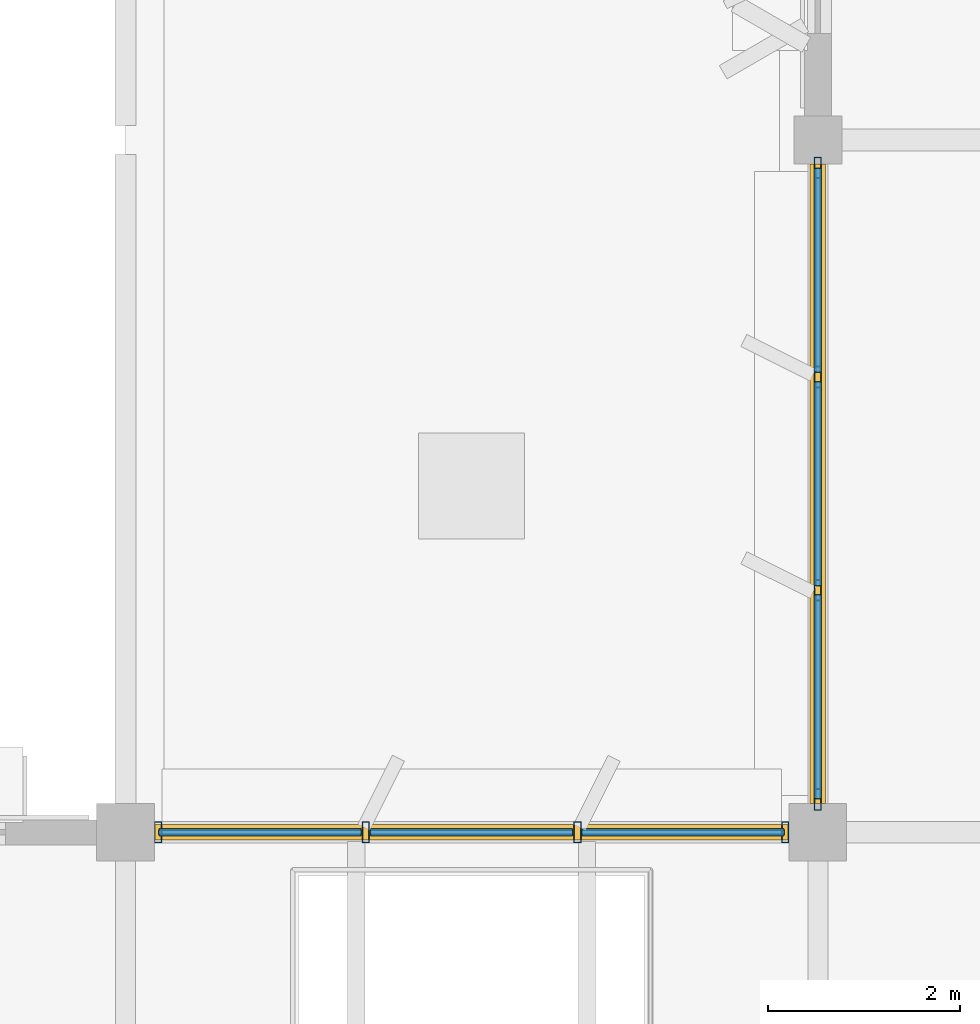
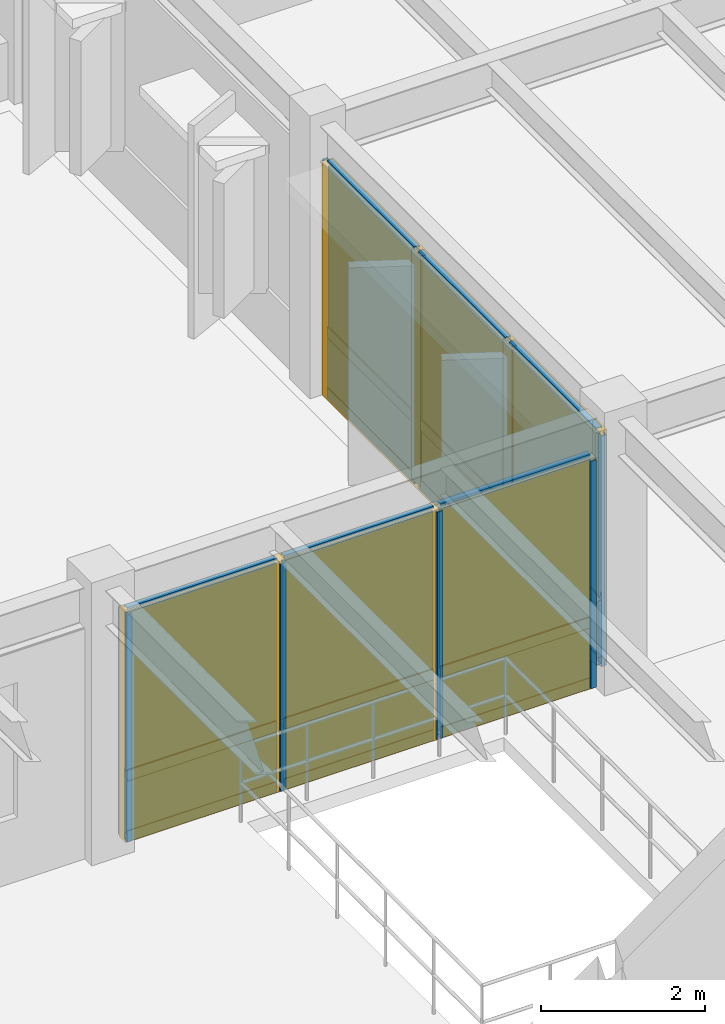
# One storey, part 52 of 85: 26 members, 12 plates, 2 curtain walls.
"""IFC4 building model written with IfcOpenShell, lengths in metres."""

from ifc_helpers import new_model, si_unit, direction, frame, origin, origin_2d, place, context, subcontext, project, spatial, rectangle, hollow_rectangle, extrude, material, layer, layer_set, material_profile, profile_set, type_object, element, aggregate, save


model = new_model("IFC4")

# Units and contexts
model_context = context("Model", 3, precision=1e-05, world=origin(), true_north=direction((0.0, 1.0)))
body_context = subcontext(model_context, "Body", "Model", "MODEL_VIEW")
ifc_project = project(units=[si_unit("LENGTHUNIT", "METRE"), si_unit("AREAUNIT", "SQUARE_METRE"), si_unit("VOLUMEUNIT", "CUBIC_METRE"), si_unit("PLANEANGLEUNIT", "RADIAN"), si_unit("MASSUNIT", "GRAM", prefix="KILO")], contexts=[model_context])

# Member
ifc_material_1 = material(Name="Anodized Aluminium 6063-T6", Category="aluminium")
ifc_material_profile_1 = material_profile(ifc_material_1, hollow_rectangle(XDim=0.074951171875, YDim=0.219970703125, WallThickness=0.0048828125, at=origin_2d()), Name="ALU 75x220x5")
ifc_profile_set_1 = profile_set([ifc_material_profile_1], Name="Anodized Aluminium 6063-T6")
member_type_1 = type_object("IfcMemberType", Name="CWM-75X180", PredefinedType="MULLION", material=ifc_profile_set_1)
site_placement = place(None, origin())
building_placement = place(site_placement, origin())
storey_placement = place(building_placement, frame((0.0, 0.0, 9.89990234375)))
member_1_placement = place(storey_placement, frame((14.739990234375, 79.199951171875, 0.02001953125), z_axis=(0.0, 0.0, 1.0), x_axis=(1.0, 0.0, 0.0)))
member_1 = element("IfcMember", 1, at=member_1_placement, type_object=member_type_1, Name="Curtain wall mullion CW-L03-02-10-N-00", PredefinedType="MULLION", context=body_context, shape_type="SweptSolid", body=[
    extrude(hollow_rectangle(XDim=0.074951171875, YDim=0.219970703125, WallThickness=0.0048828125, at=origin_2d()), origin(), (0.0, 0.0, 1.0), 3.378173828125),
])

member_2_placement = place(storey_placement, frame((16.89990234375, 79.199951171875, 0.02001953125), z_axis=(0.0, 0.0, 1.0), x_axis=(1.0, 0.0, 0.0)))
member_2 = element("IfcMember", 2, at=member_2_placement, type_object=member_type_1, Name="Curtain wall mullion CW-L03-02-10-N-01", PredefinedType="MULLION", context=body_context, shape_type="SweptSolid", body=[
    extrude(hollow_rectangle(XDim=0.074951171875, YDim=0.219970703125, WallThickness=0.0048828125, at=origin_2d()), origin(), (0.0, 0.0, 1.0), 3.378173828125),
])

member_3_placement = place(storey_placement, frame((19.10009765625, 79.199951171875, 0.02001953125), z_axis=(0.0, 0.0, 1.0), x_axis=(1.0, 0.0, 0.0)))
member_3 = element("IfcMember", 3, at=member_3_placement, type_object=member_type_1, Name="Curtain wall mullion CW-L03-02-10-N-02", PredefinedType="MULLION", context=body_context, shape_type="SweptSolid", body=[
    extrude(hollow_rectangle(XDim=0.074951171875, YDim=0.219970703125, WallThickness=0.0048828125, at=origin_2d()), origin(), (0.0, 0.0, 1.0), 3.378173828125),
])

member_4_placement = place(storey_placement, frame((21.260009765625, 79.199951171875, 0.02001953125), z_axis=(0.0, 0.0, 1.0), x_axis=(1.0, 0.0, 0.0)))
member_4 = element("IfcMember", 4, at=member_4_placement, type_object=member_type_1, Name="Curtain wall mullion CW-L03-02-10-N-03", PredefinedType="MULLION", context=body_context, shape_type="SweptSolid", body=[
    extrude(hollow_rectangle(XDim=0.074951171875, YDim=0.219970703125, WallThickness=0.0048828125, at=origin_2d()), origin(), (0.0, 0.0, 1.0), 3.378173828125),
])

member_5_placement = place(storey_placement, frame((21.60009765625, 79.5400390625, 0.02001953125), z_axis=(0.0, 0.0, 1.0), x_axis=(1.0, 0.0, 0.0)))
member_5 = element("IfcMember", 5, at=member_5_placement, type_object=member_type_1, Name="Curtain wall mullion CW-L03-03-11-W-00", PredefinedType="MULLION", context=body_context, shape_type="SweptSolid", body=[
    extrude(hollow_rectangle(XDim=0.074951171875, YDim=0.219970703125, WallThickness=0.0048828125, at=origin_2d()), origin(), (0.0, 0.0, 1.0), 3.427001953125),
])

member_6_placement = place(storey_placement, frame((21.60009765625, 81.716796875, 0.02001953125), z_axis=(0.0, 0.0, 1.0), x_axis=(1.0, 0.0, 0.0)))
member_6 = element("IfcMember", 6, at=member_6_placement, type_object=member_type_1, Name="Curtain wall mullion CW-L03-03-11-W-01", PredefinedType="MULLION", context=body_context, shape_type="SweptSolid", body=[
    extrude(hollow_rectangle(XDim=0.074951171875, YDim=0.219970703125, WallThickness=0.0048828125, at=origin_2d()), origin(), (0.0, 0.0, 1.0), 3.427001953125),
])

member_7_placement = place(storey_placement, frame((21.60009765625, 83.933349609375, 0.02001953125), z_axis=(0.0, 0.0, 1.0), x_axis=(1.0, 0.0, 0.0)))
member_7 = element("IfcMember", 7, at=member_7_placement, type_object=member_type_1, Name="Curtain wall mullion CW-L03-03-11-W-02", PredefinedType="MULLION", context=body_context, shape_type="SweptSolid", body=[
    extrude(hollow_rectangle(XDim=0.074951171875, YDim=0.219970703125, WallThickness=0.0048828125, at=origin_2d()), origin(), (0.0, 0.0, 1.0), 3.427001953125),
])

member_8_placement = place(storey_placement, frame((21.60009765625, 86.110107421875, 0.02001953125), z_axis=(0.0, 0.0, 1.0), x_axis=(1.0, 0.0, 0.0)))
member_8 = element("IfcMember", 8, at=member_8_placement, type_object=member_type_1, Name="Curtain wall mullion CW-L03-03-11-W-03", PredefinedType="MULLION", context=body_context, shape_type="SweptSolid", body=[
    extrude(hollow_rectangle(XDim=0.074951171875, YDim=0.219970703125, WallThickness=0.0048828125, at=origin_2d()), origin(), (0.0, 0.0, 1.0), 3.427001953125),
])

ifc_material_profile_2 = material_profile(ifc_material_1, hollow_rectangle(XDim=0.074951171875, YDim=0.159912109375, WallThickness=0.00390625, at=origin_2d()), Name="ALU 75x160x4")
ifc_profile_set_2 = profile_set([ifc_material_profile_2], Name="Anodized Aluminium 6063-T6")
member_type_2 = type_object("IfcMemberType", Name="CWT-75X150", PredefinedType="USERDEFINED", material=ifc_profile_set_2)
member_9_placement = place(storey_placement, frame((14.75, 79.199951171875, 0.050048828125), z_axis=(1.0, 0.0, 0.0), x_axis=(0.0, 1.0, 0.0)))
member_9 = element("IfcMember", 9, at=member_9_placement, type_object=member_type_2, Name="Curtain wall transom CW-L03-02-10-N-1.01", ObjectType="TRANSOM", PredefinedType="USERDEFINED", context=body_context, shape_type="SweptSolid", body=[
    extrude(hollow_rectangle(XDim=0.074951171875, YDim=0.159912109375, WallThickness=0.00390625, at=origin_2d()), origin(), (0.0, 0.0, 1.0), 2.10009765625),
])

member_10_placement = place(storey_placement, frame((16.949951171875, 79.199951171875, 0.050048828125), z_axis=(1.0, 0.0, 0.0), x_axis=(0.0, 1.0, 0.0)))
member_10 = element("IfcMember", 10, at=member_10_placement, type_object=member_type_2, Name="Curtain wall transom CW-L03-02-10-N-1.02", ObjectType="TRANSOM", PredefinedType="USERDEFINED", context=body_context, shape_type="SweptSolid", body=[
    extrude(hollow_rectangle(XDim=0.074951171875, YDim=0.159912109375, WallThickness=0.00390625, at=origin_2d()), origin(), (0.0, 0.0, 1.0), 2.10009765625),
])

member_11_placement = place(storey_placement, frame((19.14990234375, 79.199951171875, 0.050048828125), z_axis=(1.0, 0.0, 0.0), x_axis=(0.0, 1.0, 0.0)))
member_11 = element("IfcMember", 11, at=member_11_placement, type_object=member_type_2, Name="Curtain wall transom CW-L03-02-10-N-1.03", ObjectType="TRANSOM", PredefinedType="USERDEFINED", context=body_context, shape_type="SweptSolid", body=[
    extrude(hollow_rectangle(XDim=0.074951171875, YDim=0.159912109375, WallThickness=0.00390625, at=origin_2d()), origin(), (0.0, 0.0, 1.0), 2.10009765625),
])

member_12_placement = place(storey_placement, frame((14.75, 79.199951171875, 0.9501953125), z_axis=(1.0, 0.0, 0.0), x_axis=(0.0, 1.0, 0.0)))
member_12 = element("IfcMember", 12, at=member_12_placement, type_object=member_type_2, Name="Curtain wall transom CW-L03-02-10-N-2.01", ObjectType="TRANSOM", PredefinedType="USERDEFINED", context=body_context, shape_type="SweptSolid", body=[
    extrude(hollow_rectangle(XDim=0.074951171875, YDim=0.159912109375, WallThickness=0.00390625, at=origin_2d()), origin(), (0.0, 0.0, 1.0), 2.10009765625),
])

member_13_placement = place(storey_placement, frame((16.949951171875, 79.199951171875, 0.9501953125), z_axis=(1.0, 0.0, 0.0), x_axis=(0.0, 1.0, 0.0)))
member_13 = element("IfcMember", 13, at=member_13_placement, type_object=member_type_2, Name="Curtain wall transom CW-L03-02-10-N-2.02", ObjectType="TRANSOM", PredefinedType="USERDEFINED", context=body_context, shape_type="SweptSolid", body=[
    extrude(hollow_rectangle(XDim=0.074951171875, YDim=0.159912109375, WallThickness=0.00390625, at=origin_2d()), origin(), (0.0, 0.0, 1.0), 2.10009765625),
])

member_14_placement = place(storey_placement, frame((19.14990234375, 79.199951171875, 0.9501953125), z_axis=(1.0, 0.0, 0.0), x_axis=(0.0, 1.0, 0.0)))
member_14 = element("IfcMember", 14, at=member_14_placement, type_object=member_type_2, Name="Curtain wall transom CW-L03-02-10-N-2.03", ObjectType="TRANSOM", PredefinedType="USERDEFINED", context=body_context, shape_type="SweptSolid", body=[
    extrude(hollow_rectangle(XDim=0.074951171875, YDim=0.159912109375, WallThickness=0.00390625, at=origin_2d()), origin(), (0.0, 0.0, 1.0), 2.10009765625),
])

member_15_placement = place(storey_placement, frame((14.75, 79.199951171875, 3.3681640625), z_axis=(1.0, 0.0, 0.0), x_axis=(0.0, 1.0, 0.0)))
member_15 = element("IfcMember", 15, at=member_15_placement, type_object=member_type_2, Name="Curtain wall transom CW-L03-02-10-N-3.01", ObjectType="TRANSOM", PredefinedType="USERDEFINED", context=body_context, shape_type="SweptSolid", body=[
    extrude(hollow_rectangle(XDim=0.074951171875, YDim=0.159912109375, WallThickness=0.00390625, at=origin_2d()), origin(), (0.0, 0.0, 1.0), 2.10009765625),
])

member_16_placement = place(storey_placement, frame((16.949951171875, 79.199951171875, 3.3681640625), z_axis=(1.0, 0.0, 0.0), x_axis=(0.0, 1.0, 0.0)))
member_16 = element("IfcMember", 16, at=member_16_placement, type_object=member_type_2, Name="Curtain wall transom CW-L03-02-10-N-3.02", ObjectType="TRANSOM", PredefinedType="USERDEFINED", context=body_context, shape_type="SweptSolid", body=[
    extrude(hollow_rectangle(XDim=0.074951171875, YDim=0.159912109375, WallThickness=0.00390625, at=origin_2d()), origin(), (0.0, 0.0, 1.0), 2.10009765625),
])

member_17_placement = place(storey_placement, frame((19.14990234375, 79.199951171875, 3.3681640625), z_axis=(1.0, 0.0, 0.0), x_axis=(0.0, 1.0, 0.0)))
member_17 = element("IfcMember", 17, at=member_17_placement, type_object=member_type_2, Name="Curtain wall transom CW-L03-02-10-N-3.03", ObjectType="TRANSOM", PredefinedType="USERDEFINED", context=body_context, shape_type="SweptSolid", body=[
    extrude(hollow_rectangle(XDim=0.074951171875, YDim=0.159912109375, WallThickness=0.00390625, at=origin_2d()), origin(), (0.0, 0.0, 1.0), 2.10009765625),
])

member_18_placement = place(storey_placement, frame((21.60009765625, 79.550048828125, 0.050048828125), z_axis=(0.0, 1.0, 0.0), x_axis=(-1.0, 0.0, 0.0)))
member_18 = element("IfcMember", 18, at=member_18_placement, type_object=member_type_2, Name="Curtain wall transom CW-L03-03-11-W-1.01", ObjectType="TRANSOM", PredefinedType="USERDEFINED", context=body_context, shape_type="SweptSolid", body=[
    extrude(hollow_rectangle(XDim=0.074951171875, YDim=0.159912109375, WallThickness=0.00390625, at=origin_2d()), origin(), (0.0, 0.0, 1.0), 2.11669921875),
])

member_19_placement = place(storey_placement, frame((21.60009765625, 81.7666015625, 0.050048828125), z_axis=(0.0, 1.0, 0.0), x_axis=(-1.0, 0.0, 0.0)))
member_19 = element("IfcMember", 19, at=member_19_placement, type_object=member_type_2, Name="Curtain wall transom CW-L03-03-11-W-1.02", ObjectType="TRANSOM", PredefinedType="USERDEFINED", context=body_context, shape_type="SweptSolid", body=[
    extrude(hollow_rectangle(XDim=0.074951171875, YDim=0.159912109375, WallThickness=0.00390625, at=origin_2d()), origin(), (0.0, 0.0, 1.0), 2.11669921875),
])

member_20_placement = place(storey_placement, frame((21.60009765625, 83.9833984375, 0.050048828125), z_axis=(0.0, 1.0, 0.0), x_axis=(-1.0, 0.0, 0.0)))
member_20 = element("IfcMember", 20, at=member_20_placement, type_object=member_type_2, Name="Curtain wall transom CW-L03-03-11-W-1.03", ObjectType="TRANSOM", PredefinedType="USERDEFINED", context=body_context, shape_type="SweptSolid", body=[
    extrude(hollow_rectangle(XDim=0.074951171875, YDim=0.159912109375, WallThickness=0.00390625, at=origin_2d()), origin(), (0.0, 0.0, 1.0), 2.11669921875),
])

member_21_placement = place(storey_placement, frame((21.60009765625, 79.550048828125, 0.9501953125), z_axis=(0.0, 1.0, 0.0), x_axis=(-1.0, 0.0, 0.0)))
member_21 = element("IfcMember", 21, at=member_21_placement, type_object=member_type_2, Name="Curtain wall transom CW-L03-03-11-W-2.01", ObjectType="TRANSOM", PredefinedType="USERDEFINED", context=body_context, shape_type="SweptSolid", body=[
    extrude(hollow_rectangle(XDim=0.074951171875, YDim=0.159912109375, WallThickness=0.00390625, at=origin_2d()), origin(), (0.0, 0.0, 1.0), 2.11669921875),
])

member_22_placement = place(storey_placement, frame((21.60009765625, 81.7666015625, 0.9501953125), z_axis=(0.0, 1.0, 0.0), x_axis=(-1.0, 0.0, 0.0)))
member_22 = element("IfcMember", 22, at=member_22_placement, type_object=member_type_2, Name="Curtain wall transom CW-L03-03-11-W-2.02", ObjectType="TRANSOM", PredefinedType="USERDEFINED", context=body_context, shape_type="SweptSolid", body=[
    extrude(hollow_rectangle(XDim=0.074951171875, YDim=0.159912109375, WallThickness=0.00390625, at=origin_2d()), origin(), (0.0, 0.0, 1.0), 2.11669921875),
])

member_23_placement = place(storey_placement, frame((21.60009765625, 83.9833984375, 0.9501953125), z_axis=(0.0, 1.0, 0.0), x_axis=(-1.0, 0.0, 0.0)))
member_23 = element("IfcMember", 23, at=member_23_placement, type_object=member_type_2, Name="Curtain wall transom CW-L03-03-11-W-2.03", ObjectType="TRANSOM", PredefinedType="USERDEFINED", context=body_context, shape_type="SweptSolid", body=[
    extrude(hollow_rectangle(XDim=0.074951171875, YDim=0.159912109375, WallThickness=0.00390625, at=origin_2d()), origin(), (0.0, 0.0, 1.0), 2.11669921875),
])

member_24_placement = place(storey_placement, frame((21.60009765625, 79.550048828125, 3.4169921875), z_axis=(0.0, 1.0, 0.0), x_axis=(-1.0, 0.0, 0.0)))
member_24 = element("IfcMember", 24, at=member_24_placement, type_object=member_type_2, Name="Curtain wall transom CW-L03-03-11-W-3.01", ObjectType="TRANSOM", PredefinedType="USERDEFINED", context=body_context, shape_type="SweptSolid", body=[
    extrude(hollow_rectangle(XDim=0.074951171875, YDim=0.159912109375, WallThickness=0.00390625, at=origin_2d()), origin(), (0.0, 0.0, 1.0), 2.11669921875),
])

member_25_placement = place(storey_placement, frame((21.60009765625, 81.7666015625, 3.4169921875), z_axis=(0.0, 1.0, 0.0), x_axis=(-1.0, 0.0, 0.0)))
member_25 = element("IfcMember", 25, at=member_25_placement, type_object=member_type_2, Name="Curtain wall transom CW-L03-03-11-W-3.02", ObjectType="TRANSOM", PredefinedType="USERDEFINED", context=body_context, shape_type="SweptSolid", body=[
    extrude(hollow_rectangle(XDim=0.074951171875, YDim=0.159912109375, WallThickness=0.00390625, at=origin_2d()), origin(), (0.0, 0.0, 1.0), 2.11669921875),
])

member_26_placement = place(storey_placement, frame((21.60009765625, 83.9833984375, 3.4169921875), z_axis=(0.0, 1.0, 0.0), x_axis=(-1.0, 0.0, 0.0)))
member_26 = element("IfcMember", 26, at=member_26_placement, type_object=member_type_2, Name="Curtain wall transom CW-L03-03-11-W-3.03", ObjectType="TRANSOM", PredefinedType="USERDEFINED", context=body_context, shape_type="SweptSolid", body=[
    extrude(hollow_rectangle(XDim=0.074951171875, YDim=0.159912109375, WallThickness=0.00390625, at=origin_2d()), origin(), (0.0, 0.0, 1.0), 2.11669921875),
])

# Plate
ifc_material_2 = material(Name="Acoustic Laminated Low-E Glazing", Category="glass")
ifc_layer_1 = layer(ifc_material_2, 0.0439453125)
ifc_layer_set_1 = layer_set([ifc_layer_1], Name="Acoustic Laminated Low-E Glazing")
plate_type_1 = type_object("IfcPlateType", Name="CWP-IGU-44", PredefinedType="CURTAIN_PANEL", material=ifc_layer_set_1)
plate_1_placement = place(storey_placement, frame((15.800048828125, 79.199951171875, 0.990234375), z_axis=(0.0, 0.0, 1.0), x_axis=(1.0, 0.0, 0.0)))
plate_1 = element("IfcPlate", 27, at=plate_1_placement, type_object=plate_type_1, Name="Curtain wall vision glazing CW-L03-02-10-N-01", PredefinedType="CURTAIN_PANEL", context=body_context, shape_type="SweptSolid", body=[
    extrude(rectangle(XDim=2.110107421875, YDim=0.0400390625, at=origin_2d()), origin(), (0.0, 0.0, 1.0), 2.367919921875),
])

plate_2_placement = place(storey_placement, frame((18.0, 79.199951171875, 0.990234375), z_axis=(0.0, 0.0, 1.0), x_axis=(1.0, 0.0, 0.0)))
plate_2 = element("IfcPlate", 28, at=plate_2_placement, type_object=plate_type_1, Name="Curtain wall vision glazing CW-L03-02-10-N-02", PredefinedType="CURTAIN_PANEL", context=body_context, shape_type="SweptSolid", body=[
    extrude(rectangle(XDim=2.110107421875, YDim=0.0400390625, at=origin_2d()), origin(), (0.0, 0.0, 1.0), 2.367919921875),
])

plate_3_placement = place(storey_placement, frame((20.199951171875, 79.199951171875, 0.990234375), z_axis=(0.0, 0.0, 1.0), x_axis=(1.0, 0.0, 0.0)))
plate_3 = element("IfcPlate", 29, at=plate_3_placement, type_object=plate_type_1, Name="Curtain wall vision glazing CW-L03-02-10-N-03", PredefinedType="CURTAIN_PANEL", context=body_context, shape_type="SweptSolid", body=[
    extrude(rectangle(XDim=2.110107421875, YDim=0.0400390625, at=origin_2d()), origin(), (0.0, 0.0, 1.0), 2.367919921875),
])

plate_4_placement = place(storey_placement, frame((21.60009765625, 80.6083984375, 0.989990234375), z_axis=(0.0, 0.0, 1.0), x_axis=(0.0, 1.0, 0.0)))
plate_4 = element("IfcPlate", 30, at=plate_4_placement, type_object=plate_type_1, Name="Curtain wall vision glazing CW-L03-03-11-W-01", PredefinedType="CURTAIN_PANEL", context=body_context, shape_type="SweptSolid", body=[
    extrude(rectangle(XDim=2.126708984375, YDim=0.0400390625, at=origin_2d()), origin(), (0.0, 0.0, 1.0), 2.4169921875),
])

plate_5_placement = place(storey_placement, frame((21.60009765625, 82.824951171875, 0.989990234375), z_axis=(0.0, 0.0, 1.0), x_axis=(0.0, 1.0, 0.0)))
plate_5 = element("IfcPlate", 31, at=plate_5_placement, type_object=plate_type_1, Name="Curtain wall vision glazing CW-L03-03-11-W-02", PredefinedType="CURTAIN_PANEL", context=body_context, shape_type="SweptSolid", body=[
    extrude(rectangle(XDim=2.126708984375, YDim=0.0400390625, at=origin_2d()), origin(), (0.0, 0.0, 1.0), 2.4169921875),
])

plate_6_placement = place(storey_placement, frame((21.60009765625, 85.041748046875, 0.989990234375), z_axis=(0.0, 0.0, 1.0), x_axis=(0.0, 1.0, 0.0)))
plate_6 = element("IfcPlate", 32, at=plate_6_placement, type_object=plate_type_1, Name="Curtain wall vision glazing CW-L03-03-11-W-03", PredefinedType="CURTAIN_PANEL", context=body_context, shape_type="SweptSolid", body=[
    extrude(rectangle(XDim=2.126708984375, YDim=0.0400390625, at=origin_2d()), origin(), (0.0, 0.0, 1.0), 2.4169921875),
])

ifc_material_3 = material(Name="Insulated Stone-Composite Spandrel", Category="masonry")
ifc_layer_2 = layer(ifc_material_3, 0.068115234375)
ifc_layer_set_2 = layer_set([ifc_layer_2], Name="Insulated Stone-Composite Spandrel")
plate_type_2 = type_object("IfcPlateType", Name="CWP-SPN-68", PredefinedType="CURTAIN_PANEL", material=ifc_layer_set_2)
plate_7_placement = place(storey_placement, frame((15.800048828125, 79.199951171875, 0.080078125), z_axis=(0.0, 0.0, 1.0), x_axis=(1.0, 0.0, 0.0)))
plate_7 = element("IfcPlate", 33, at=plate_7_placement, type_object=plate_type_2, Name="Curtain wall spandrel panel CW-L03-02-10-N-01", PredefinedType="CURTAIN_PANEL", context=body_context, shape_type="SweptSolid", body=[
    extrude(rectangle(XDim=2.110107421875, YDim=0.06005859375, at=origin_2d()), origin(), (0.0, 0.0, 1.0), 0.840087890625),
])

plate_8_placement = place(storey_placement, frame((18.0, 79.199951171875, 0.080078125), z_axis=(0.0, 0.0, 1.0), x_axis=(1.0, 0.0, 0.0)))
plate_8 = element("IfcPlate", 34, at=plate_8_placement, type_object=plate_type_2, Name="Curtain wall spandrel panel CW-L03-02-10-N-02", PredefinedType="CURTAIN_PANEL", context=body_context, shape_type="SweptSolid", body=[
    extrude(rectangle(XDim=2.110107421875, YDim=0.06005859375, at=origin_2d()), origin(), (0.0, 0.0, 1.0), 0.840087890625),
])

plate_9_placement = place(storey_placement, frame((20.199951171875, 79.199951171875, 0.080078125), z_axis=(0.0, 0.0, 1.0), x_axis=(1.0, 0.0, 0.0)))
plate_9 = element("IfcPlate", 35, at=plate_9_placement, type_object=plate_type_2, Name="Curtain wall spandrel panel CW-L03-02-10-N-03", PredefinedType="CURTAIN_PANEL", context=body_context, shape_type="SweptSolid", body=[
    extrude(rectangle(XDim=2.110107421875, YDim=0.06005859375, at=origin_2d()), origin(), (0.0, 0.0, 1.0), 0.840087890625),
])

plate_10_placement = place(storey_placement, frame((21.60009765625, 80.6083984375, 0.080078125), z_axis=(0.0, 0.0, 1.0), x_axis=(0.0, 1.0, 0.0)))
plate_10 = element("IfcPlate", 36, at=plate_10_placement, type_object=plate_type_2, Name="Curtain wall spandrel panel CW-L03-03-11-W-01", PredefinedType="CURTAIN_PANEL", context=body_context, shape_type="SweptSolid", body=[
    extrude(rectangle(XDim=2.126708984375, YDim=0.06005859375, at=origin_2d()), origin(), (0.0, 0.0, 1.0), 0.840087890625),
])

plate_11_placement = place(storey_placement, frame((21.60009765625, 82.824951171875, 0.080078125), z_axis=(0.0, 0.0, 1.0), x_axis=(0.0, 1.0, 0.0)))
plate_11 = element("IfcPlate", 37, at=plate_11_placement, type_object=plate_type_2, Name="Curtain wall spandrel panel CW-L03-03-11-W-02", PredefinedType="CURTAIN_PANEL", context=body_context, shape_type="SweptSolid", body=[
    extrude(rectangle(XDim=2.126708984375, YDim=0.06005859375, at=origin_2d()), origin(), (0.0, 0.0, 1.0), 0.840087890625),
])

plate_12_placement = place(storey_placement, frame((21.60009765625, 85.041748046875, 0.080078125), z_axis=(0.0, 0.0, 1.0), x_axis=(0.0, 1.0, 0.0)))
plate_12 = element("IfcPlate", 38, at=plate_12_placement, type_object=plate_type_2, Name="Curtain wall spandrel panel CW-L03-03-11-W-03", PredefinedType="CURTAIN_PANEL", context=body_context, shape_type="SweptSolid", body=[
    extrude(rectangle(XDim=2.126708984375, YDim=0.06005859375, at=origin_2d()), origin(), (0.0, 0.0, 1.0), 0.840087890625),
])

# Site, building, storey
site = spatial("IfcSite", under=ifc_project, at=site_placement, CompositionType="ELEMENT")
building = spatial("IfcBuilding", under=site, at=building_placement, Name="Sillqori Civic Hall", CompositionType="ELEMENT")
storey = spatial("IfcBuildingStorey", under=building, at=storey_placement, Name="L03", CompositionType="ELEMENT", Elevation=9.89990234375)

# Curtain wall
ifc_material_4 = material(Name="Anodized Aluminium Curtain Wall System", Category="aluminium")
curtain_wall_type = type_object("IfcCurtainWallType", Name="CW-GL-400", PredefinedType="NOTDEFINED", material=ifc_material_4)
curtain_wall_1_placement = place(storey_placement, frame((18.0, 79.199951171875, 0.0), z_axis=(0.0, 0.0, 1.0), x_axis=(1.0, 0.0, 0.0)))
curtain_wall_1 = element("IfcCurtainWall", 39, at=curtain_wall_1_placement, inside=storey, type_object=curtain_wall_type, Name="L03 unitised curtain wall CW-L03-02-10-N", PredefinedType="NOTDEFINED", context=body_context, shape_type="SweptSolid", body=[
    extrude(rectangle(XDim=6.60009765625, YDim=0.159912109375, at=origin_2d()), origin(), (0.0, 0.0, 1.0), 3.41796875),
])

aggregate(curtain_wall_1, [member_1, member_2, member_3, member_4, member_9, member_10, member_11, member_12, member_13, member_14, member_15, member_16, member_17, plate_7, plate_1, plate_8, plate_2, plate_9, plate_3])

curtain_wall_2_placement = place(storey_placement, frame((21.60009765625, 82.824951171875, 0.0), z_axis=(0.0, 0.0, 1.0), x_axis=(0.0, 1.0, 0.0)))
curtain_wall_2 = element("IfcCurtainWall", 40, at=curtain_wall_2_placement, inside=storey, type_object=curtain_wall_type, Name="L03 unitised curtain wall CW-L03-03-11-W", PredefinedType="NOTDEFINED", context=body_context, shape_type="SweptSolid", body=[
    extrude(rectangle(XDim=6.64990234375, YDim=0.159912109375, at=origin_2d()), origin(), (0.0, 0.0, 1.0), 3.467041015625),
])

aggregate(curtain_wall_2, [member_5, member_6, member_7, member_8, member_18, member_19, member_20, member_21, member_22, member_23, member_24, member_25, member_26, plate_10, plate_4, plate_11, plate_5, plate_12, plate_6])

save(model, "model.ifc")
